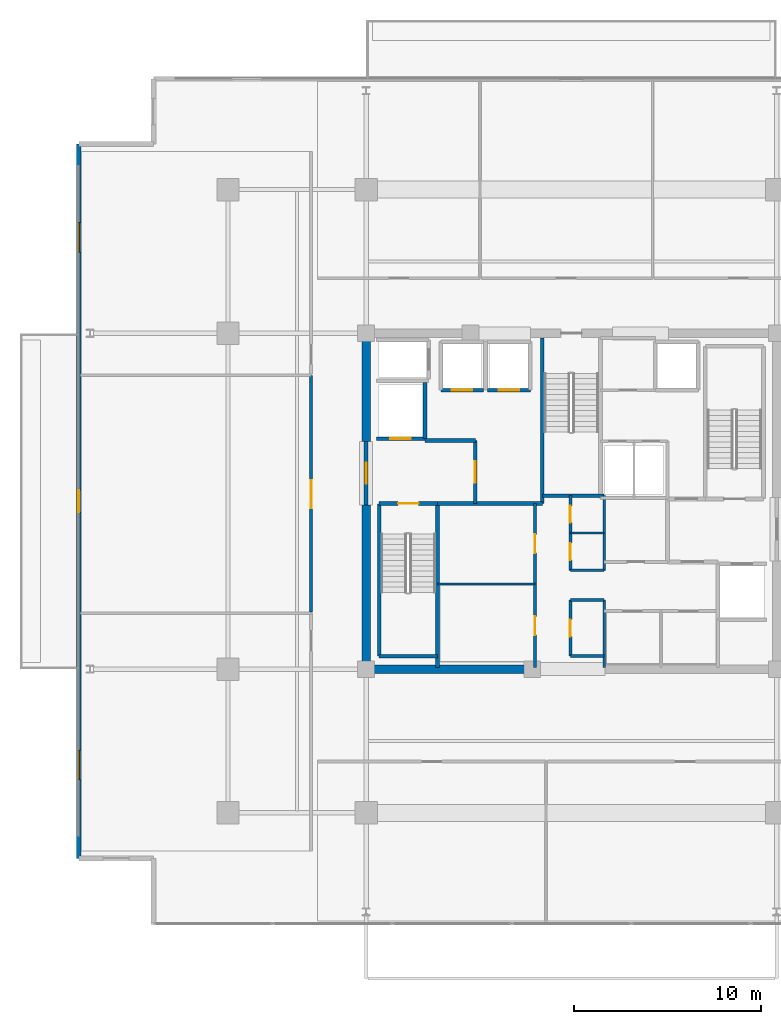
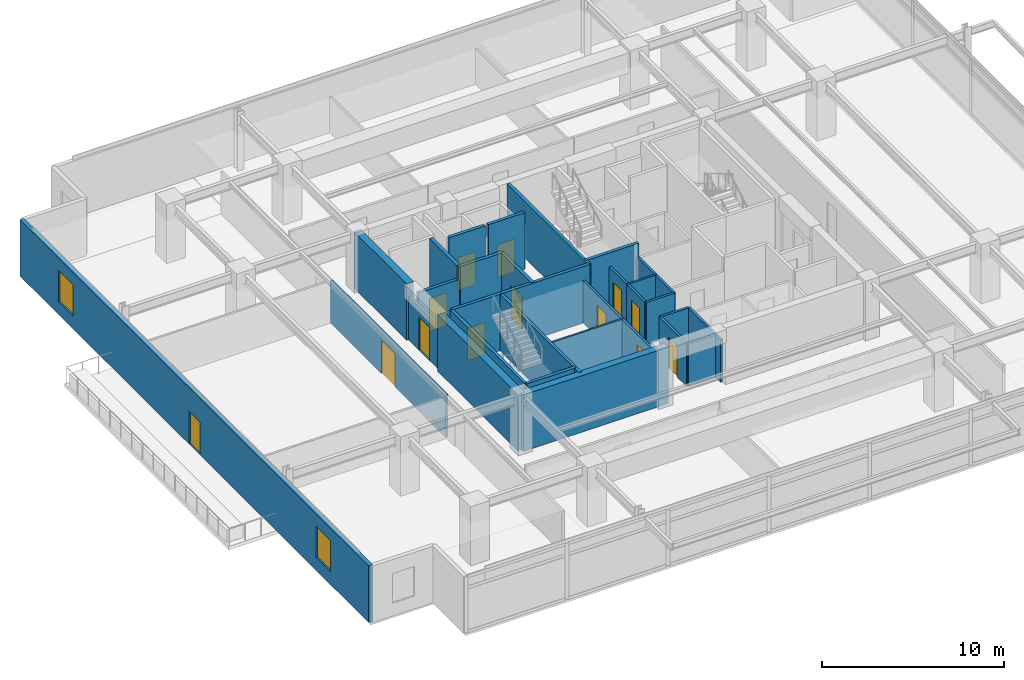
# One storey, part 12 of 19: 31 walls, 13 doors, 2 windows, 15 openings.
"""IFC4 building model written with IfcOpenShell, lengths in metres."""

from ifc_helpers import new_model, si_unit, direction, frame, frame_2d, origin, place, context, subcontext, project, spatial, rectangle, extrude, material, layer, layer_set, type_object, element, fill, save


model = new_model("IFC4")

# Units and contexts
model_context = context("Model", 3, precision=1e-05, world=origin(), true_north=direction((0.0, 1.0)))
body_context = subcontext(model_context, "Body", "Model", "MODEL_VIEW")
ifc_project = project(units=[si_unit("LENGTHUNIT", "METRE"), si_unit("AREAUNIT", "SQUARE_METRE"), si_unit("VOLUMEUNIT", "CUBIC_METRE"), si_unit("PLANEANGLEUNIT", "RADIAN"), si_unit("MASSUNIT", "GRAM", prefix="KILO")], contexts=[model_context])

# Site, building, storey
site_placement = place(None, origin())
site = spatial("IfcSite", under=ifc_project, at=site_placement, CompositionType="ELEMENT")
building_placement = place(site_placement, origin())
building = spatial("IfcBuilding", under=site, at=building_placement, Name="Kovane Verandah Tower", CompositionType="ELEMENT")
storey_placement = place(building_placement, frame((0.0, 0.0, 255.199951171875)))
storey = spatial("IfcBuildingStorey", under=building, at=storey_placement, Name="L59", CompositionType="ELEMENT", Elevation=255.199951171875)

# Walls
ifc_material_1 = material(Name="Fire-Rated Gypsum Stud Partition", Category="gypsum")
ifc_layer_1 = layer(ifc_material_1, 0.14990234375)
ifc_layer_set_1 = layer_set([ifc_layer_1], Name="Fire-Rated Gypsum Stud Partition")
wall_type_1 = type_object("IfcWallType", Name="WL-COR-150", PredefinedType="PARTITIONING", material=ifc_layer_set_1)
for number, where, z_axis, x_axis, name in (
    (1, (39.949951171875, 19.199951171875, 0.0), (0.0, 0.0, 1.0), (1.0, 0.0, 0.0), "L59 Central Core Strip South Wall"),
    (2, (39.949951171875, 22.199951171875, 0.0), (0.0, 0.0, 1.0), (1.0, 0.0, 0.0), "L59 Core Cross-Passage South Wall"),
    (3, (39.949951171875, 23.800048828125, 0.0), (0.0, 0.0, 1.0), (1.0, 0.0, 0.0), "L59 Core Cross-Passage North Wall"),
):
    element("IfcWall", number, at=place(storey_placement, frame(where, z_axis=z_axis, x_axis=x_axis)), inside=storey, type_object=wall_type_1, Name=name, PredefinedType="PARTITIONING", context=body_context, shape_type="SweptSolid", body=[
        extrude(rectangle(XDim=1.81005859375, YDim=0.14990234375, at=frame_2d((0.905029296875, 0.0))), origin(), (0.0, 0.0, 1.0), 2.85009765625),
    ])
wall_1_placement = place(storey_placement, frame((41.760009765625, 18.60009765625, 0.0), z_axis=(0.0, 0.0, 1.0), x_axis=(0.0, 1.0, 0.0)))
element("IfcWall", 4, at=wall_1_placement, inside=storey, type_object=wall_type_1, Name="L59 Central Core Strip Lower East Wall", PredefinedType="PARTITIONING", context=body_context, shape_type="SweptSolid", body=[
    extrude(rectangle(XDim=3.599853515625, YDim=0.14990234375, at=frame_2d((1.7998046875, 0.0))), origin(), (0.0, 0.0, 1.0), 2.85009765625),
])
wall_2_placement = place(storey_placement, frame((41.760009765625, 23.800048828125, 0.0), z_axis=(0.0, 0.0, 1.0), x_axis=(0.0, 1.0, 0.0)))
element("IfcWall", 5, at=wall_2_placement, inside=storey, type_object=wall_type_1, Name="L59 Central Core Strip Upper East Wall", PredefinedType="PARTITIONING", context=body_context, shape_type="SweptSolid", body=[
    extrude(rectangle(XDim=4.0, YDim=0.14990234375, at=frame_2d((2.0, 0.0))), origin(), (0.0, 0.0, 1.0), 2.85009765625),
])

# Wall, opening, door
wall_3_placement = place(storey_placement, frame((39.949951171875, 19.199951171875, 0.0), z_axis=(0.0, 0.0, 1.0), x_axis=(0.0, 1.0, 0.0)))
wall_3 = element("IfcWall", 6, at=wall_3_placement, inside=storey, type_object=wall_type_1, Name="L59 Male Toilet Partition", PredefinedType="PARTITIONING", context=body_context, shape_type="SweptSolid", body=[
    extrude(rectangle(XDim=3.0, YDim=0.14990234375, at=frame_2d((1.5, 0.0))), origin(), (0.0, 0.0, 1.0), 2.85009765625),
])
opening_1_placement = place(wall_3_placement, frame((1.050048828125, 0.0, 0.0)))
opening_1 = element("IfcOpeningElement", 7, at=opening_1_placement, cuts=wall_3, Name="Opening DR-L59-027", PredefinedType="OPENING", context=body_context, shape_type="SweptSolid", body=[
    extrude(rectangle(XDim=0.89990234375, YDim=2.10009765625, at=frame_2d((0.449951171875, 1.050048828125))), frame((0.0, 0.074951171875, 0.0), z_axis=(0.0, -1.0, 0.0), x_axis=(1.0, 0.0, 0.0)), (0.0, 0.0, 1.0), 0.14990234375),
])
ifc_material_2 = material(Name="Moisture-Resistant Laminate Washroom Door", Category="wood")
door_type_1 = type_object("IfcDoorType", Name="DR-WC-900", OperationType="SINGLE_SWING_LEFT", PredefinedType="DOOR", material=ifc_material_2)
door_1_placement = place(opening_1_placement, origin())
door_1 = element("IfcDoor", 8, at=door_1_placement, inside=storey, type_object=door_type_1, Name="L59 Male Toilet Door", OperationType="SINGLE_SWING_LEFT", OverallHeight=2.10009765625, OverallWidth=0.89990234375, PredefinedType="DOOR", context=body_context, shape_type="SweptSolid", body=[
    extrude(rectangle(XDim=0.89990234375, YDim=2.10009765625, at=frame_2d((0.449951171875, 1.050048828125))), frame((0.0, 0.02490234375, 0.0), z_axis=(0.0, -1.0, 0.0), x_axis=(1.0, 0.0, 0.0)), (0.0, 0.0, 1.0), 0.050048828125),
])
fill(opening_1, door_1)

wall_4_placement = place(storey_placement, frame((39.949951171875, 23.800048828125, 0.0), z_axis=(0.0, 0.0, 1.0), x_axis=(0.0, 1.0, 0.0)))
wall_4 = element("IfcWall", 9, at=wall_4_placement, inside=storey, type_object=wall_type_1, Name="L59 Female Toilet Partition", PredefinedType="PARTITIONING", context=body_context, shape_type="SweptSolid", body=[
    extrude(rectangle(XDim=2.0, YDim=0.14990234375, at=frame_2d((1.0, 0.0))), origin(), (0.0, 0.0, 1.0), 2.85009765625),
])
opening_2_placement = place(wall_4_placement, frame((0.550048828125, 0.0, 0.0)))
opening_2 = element("IfcOpeningElement", 10, at=opening_2_placement, cuts=wall_4, Name="Opening DR-L59-026", PredefinedType="OPENING", context=body_context, shape_type="SweptSolid", body=[
    extrude(rectangle(XDim=0.89990234375, YDim=2.10009765625, at=frame_2d((0.449951171875, 1.050048828125))), frame((0.0, 0.074951171875, 0.0), z_axis=(0.0, -1.0, 0.0), x_axis=(1.0, 0.0, 0.0)), (0.0, 0.0, 1.0), 0.14990234375),
])
door_2_placement = place(opening_2_placement, origin())
door_2 = element("IfcDoor", 11, at=door_2_placement, inside=storey, type_object=door_type_1, Name="L59 Female Toilet Door", OperationType="SINGLE_SWING_RIGHT", OverallHeight=2.10009765625, OverallWidth=0.89990234375, PredefinedType="DOOR", context=body_context, shape_type="SweptSolid", body=[
    extrude(rectangle(XDim=0.89990234375, YDim=2.10009765625, at=frame_2d((0.449951171875, 1.050048828125))), frame((0.0, 0.02490234375, 0.0), z_axis=(0.0, -1.0, 0.0), x_axis=(1.0, 0.0, 0.0)), (0.0, 0.0, 1.0), 0.050048828125),
])
fill(opening_2, door_2)

wall_5_placement = place(storey_placement, frame((39.949951171875, 25.800048828125, 0.0), z_axis=(0.0, 0.0, 1.0), x_axis=(0.0, 1.0, 0.0)))
wall_5 = element("IfcWall", 12, at=wall_5_placement, inside=storey, type_object=wall_type_1, Name="L59 Accessible Unisex Toilet Partition", PredefinedType="PARTITIONING", context=body_context, shape_type="SweptSolid", body=[
    extrude(rectangle(XDim=2.0, YDim=0.14990234375, at=frame_2d((1.0, 0.0))), origin(), (0.0, 0.0, 1.0), 2.85009765625),
])
opening_3_placement = place(wall_5_placement, frame((0.550048828125, 0.0, 0.0)))
opening_3 = element("IfcOpeningElement", 13, at=opening_3_placement, cuts=wall_5, Name="Opening DR-L59-025", PredefinedType="OPENING", context=body_context, shape_type="SweptSolid", body=[
    extrude(rectangle(XDim=0.89990234375, YDim=2.10009765625, at=frame_2d((0.449951171875, 1.050048828125))), frame((0.0, 0.074951171875, 0.0), z_axis=(0.0, -1.0, 0.0), x_axis=(1.0, 0.0, 0.0)), (0.0, 0.0, 1.0), 0.14990234375),
])
door_3_placement = place(opening_3_placement, origin())
door_3 = element("IfcDoor", 14, at=door_3_placement, inside=storey, type_object=door_type_1, Name="L59 Accessible Unisex Toilet Door", OperationType="SINGLE_SWING_LEFT", OverallHeight=2.10009765625, OverallWidth=0.89990234375, PredefinedType="DOOR", context=body_context, shape_type="SweptSolid", body=[
    extrude(rectangle(XDim=0.89990234375, YDim=2.10009765625, at=frame_2d((0.449951171875, 1.050048828125))), frame((0.0, 0.02490234375, 0.0), z_axis=(0.0, -1.0, 0.0), x_axis=(1.0, 0.0, 0.0)), (0.0, 0.0, 1.0), 0.050048828125),
])
fill(opening_3, door_3)

wall_6_placement = place(storey_placement, frame((38.050048828125, 18.60009765625, 0.0), z_axis=(0.0, 0.0, 1.0), x_axis=(0.0, 1.0, 0.0)))
wall_6 = element("IfcWall", 15, at=wall_6_placement, inside=storey, type_object=wall_type_1, Name="L59 IT Server Room Partition", PredefinedType="PARTITIONING", context=body_context, shape_type="SweptSolid", body=[
    extrude(rectangle(XDim=4.4599609375, YDim=0.14990234375, at=frame_2d((2.22998046875, 0.0))), origin(), (0.0, 0.0, 1.0), 2.85009765625),
])
opening_4_placement = place(wall_6_placement, frame((1.72998046875, 0.0, 0.0)))
opening_4 = element("IfcOpeningElement", 16, at=opening_4_placement, cuts=wall_6, Name="Opening DR-L59-012", PredefinedType="OPENING", context=body_context, shape_type="SweptSolid", body=[
    extrude(rectangle(XDim=1.0, YDim=2.14990234375, at=frame_2d((0.5, 1.074951171875))), frame((0.0, 0.074951171875, 0.0), z_axis=(0.0, -1.0, 0.0), x_axis=(1.0, 0.0, 0.0)), (0.0, 0.0, 1.0), 0.14990234375),
])
ifc_material_3 = material(Name="FSC Spotted-Gum Timber Fire-Rated Office Door", Category="wood")
door_type_2 = type_object("IfcDoorType", Name="DR-OFF-1000", OperationType="SINGLE_SWING_LEFT", PredefinedType="DOOR", material=ifc_material_3)
door_4_placement = place(opening_4_placement, origin())
door_4 = element("IfcDoor", 17, at=door_4_placement, inside=storey, type_object=door_type_2, Name="L59 IT Server Room Door", OperationType="SINGLE_SWING_RIGHT", OverallHeight=2.14990234375, OverallWidth=1.0, PredefinedType="DOOR", context=body_context, shape_type="SweptSolid", body=[
    extrude(rectangle(XDim=1.0, YDim=2.14990234375, at=frame_2d((0.5, 1.074951171875))), frame((0.0, 0.02490234375, 0.0), z_axis=(0.0, -1.0, 0.0), x_axis=(1.0, 0.0, 0.0)), (0.0, 0.0, 1.0), 0.050048828125),
])
fill(opening_4, door_4)

wall_7_placement = place(storey_placement, frame((38.050048828125, 23.06005859375, 0.0), z_axis=(0.0, 0.0, 1.0), x_axis=(0.0, 1.0, 0.0)))
wall_7 = element("IfcWall", 18, at=wall_7_placement, inside=storey, type_object=wall_type_1, Name="L59 Telecom MDF Room Partition", PredefinedType="PARTITIONING", context=body_context, shape_type="SweptSolid", body=[
    extrude(rectangle(XDim=4.31982421875, YDim=0.14990234375, at=frame_2d((2.159912109375, 0.0))), origin(), (0.0, 0.0, 1.0), 2.85009765625),
])
opening_5_placement = place(wall_7_placement, frame((1.659912109375, 0.0, 0.0)))
opening_5 = element("IfcOpeningElement", 19, at=opening_5_placement, cuts=wall_7, Name="Opening DR-L59-013", PredefinedType="OPENING", context=body_context, shape_type="SweptSolid", body=[
    extrude(rectangle(XDim=1.0, YDim=2.14990234375, at=frame_2d((0.5, 1.074951171875))), frame((0.0, 0.074951171875, 0.0), z_axis=(0.0, -1.0, 0.0), x_axis=(1.0, 0.0, 0.0)), (0.0, 0.0, 1.0), 0.14990234375),
])
door_5_placement = place(opening_5_placement, origin())
door_5 = element("IfcDoor", 20, at=door_5_placement, inside=storey, type_object=door_type_2, Name="L59 Telecom MDF Room Door", OperationType="SINGLE_SWING_LEFT", OverallHeight=2.14990234375, OverallWidth=1.0, PredefinedType="DOOR", context=body_context, shape_type="SweptSolid", body=[
    extrude(rectangle(XDim=1.0, YDim=2.14990234375, at=frame_2d((0.5, 1.074951171875))), frame((0.0, 0.02490234375, 0.0), z_axis=(0.0, -1.0, 0.0), x_axis=(1.0, 0.0, 0.0)), (0.0, 0.0, 1.0), 0.050048828125),
])
fill(opening_5, door_5)

wall_8_placement = place(storey_placement, frame((26.050048828125, 21.573974609375, 0.0), z_axis=(0.0, 0.0, 1.0), x_axis=(0.0, 1.0, 0.0)))
wall_8 = element("IfcWall", 21, at=wall_8_placement, inside=storey, type_object=wall_type_1, Name="L59 Client Boardroom W2 Corridor Partition", PredefinedType="PARTITIONING", context=body_context, shape_type="SweptSolid", body=[
    extrude(rectangle(XDim=12.671630859375, YDim=0.14990234375, at=frame_2d((6.3359375, 0.0))), origin(), (0.0, 0.0, 1.0), 2.85009765625),
])
opening_6_placement = place(wall_8_placement, frame((5.55078125, 0.0, 0.0)))
opening_6 = element("IfcOpeningElement", 22, at=opening_6_placement, cuts=wall_8, Name="Opening DR-L59-029", PredefinedType="OPENING", context=body_context, shape_type="SweptSolid", body=[
    extrude(rectangle(XDim=1.5, YDim=2.25, at=frame_2d((0.75, 1.125))), frame((0.0, 0.074951171875, 0.0), z_axis=(0.0, -1.0, 0.0), x_axis=(1.0, 0.0, 0.0)), (0.0, 0.0, 1.0), 0.14990234375),
])
ifc_material_4 = material(Name="Glazed Timber Fire-Rated Double Door", Category="wood")
door_type_3 = type_object("IfcDoorType", Name="DR-CONF-1500", OperationType="DOUBLE_DOOR_SINGLE_SWING", PredefinedType="DOOR", material=ifc_material_4)
door_6_placement = place(opening_6_placement, origin())
door_6 = element("IfcDoor", 23, at=door_6_placement, inside=storey, type_object=door_type_3, Name="L59 Client Boardroom W2 Entrance Door", OperationType="DOUBLE_DOOR_SINGLE_SWING", OverallHeight=2.25, OverallWidth=1.5, PredefinedType="DOOR", context=body_context, shape_type="SweptSolid", body=[
    extrude(rectangle(XDim=1.5, YDim=2.25, at=frame_2d((0.75, 1.125))), frame((0.0, 0.02490234375, 0.0), z_axis=(0.0, -1.0, 0.0), x_axis=(1.0, 0.0, 0.0)), (0.0, 0.0, 1.0), 0.050048828125),
])
fill(opening_6, door_6)

# Walls
ifc_material_5 = material(Name="Concrete C60/75", Category="concrete")
ifc_layer_2 = layer(ifc_material_5, 0.449951171875)
ifc_layer_set_2 = layer_set([ifc_layer_2], Name="Concrete C60/75")
wall_type_2 = type_object("IfcWallType", Name="WL-CORE-450", PredefinedType="SHEAR", material=ifc_layer_set_2)
wall_9_placement = place(storey_placement, frame((29.0, 18.5, 0.0), z_axis=(0.0, 0.0, 1.0), x_axis=(1.0, 0.0, 0.0)))
element("IfcWall", 24, at=wall_9_placement, inside=storey, type_object=wall_type_2, Name="L59 Core Shear Wall CS-1", PredefinedType="SHEAR", context=body_context, shape_type="SweptSolid", body=[
    extrude(rectangle(XDim=9.199951171875, YDim=0.449951171875, at=frame_2d((4.60009765625, 0.0))), origin(), (0.0, 0.0, 1.0), 3.78515625),
])
wall_10_placement = place(storey_placement, frame((29.0, 18.5, 0.0), z_axis=(0.0, 0.0, 1.0), x_axis=(0.0, 1.0, 0.0)))
element("IfcWall", 25, at=wall_10_placement, inside=storey, type_object=wall_type_2, Name="L59 Core Shear Wall CW-1", PredefinedType="SHEAR", context=body_context, shape_type="SweptSolid", body=[
    extrude(rectangle(XDim=8.800048828125, YDim=0.449951171875, at=frame_2d((4.39990234375, 0.0))), origin(), (0.0, 0.0, 1.0), 3.78515625),
])
wall_11_placement = place(storey_placement, frame((29.0, 30.699951171875, 0.0), z_axis=(0.0, 0.0, 1.0), x_axis=(0.0, 1.0, 0.0)))
element("IfcWall", 26, at=wall_11_placement, inside=storey, type_object=wall_type_2, Name="L59 Core Shear Wall CW-2", PredefinedType="SHEAR", context=body_context, shape_type="SweptSolid", body=[
    extrude(rectangle(XDim=5.800048828125, YDim=0.449951171875, at=frame_2d((2.89990234375, 0.0))), origin(), (0.0, 0.0, 1.0), 3.78515625),
])

# Wall, opening, door
ifc_material_6 = material(Name="Concrete C45/55 Fire Wall", Category="concrete")
ifc_layer_3 = layer(ifc_material_6, 0.199951171875)
ifc_layer_set_3 = layer_set([ifc_layer_3], Name="Concrete C45/55 Fire Wall")
wall_type_3 = type_object("IfcWallType", Name="WL-FFL-200", PredefinedType="PARTITIONING", material=ifc_layer_set_3)
wall_12_placement = place(storey_placement, frame((34.85009765625, 27.3798828125, 0.0), z_axis=(0.0, 0.0, 1.0), x_axis=(0.0, 1.0, 0.0)))
wall_12 = element("IfcWall", 27, at=wall_12_placement, inside=storey, type_object=wall_type_3, Name="W-L59-FFLW-E", PredefinedType="PARTITIONING", context=body_context, shape_type="SweptSolid", body=[
    extrude(rectangle(XDim=3.3701171875, YDim=0.199951171875, at=frame_2d((1.68505859375, 0.0))), origin(), (0.0, 0.0, 1.0), 3.78515625),
])
opening_7_placement = place(wall_12_placement, frame((1.110107421875, 0.0, 0.0)))
opening_7 = element("IfcOpeningElement", 28, at=opening_7_placement, cuts=wall_12, Name="Opening DR-L59-006", PredefinedType="OPENING", context=body_context, shape_type="SweptSolid", body=[
    extrude(rectangle(XDim=1.14990234375, YDim=2.199951171875, at=frame_2d((0.574951171875, 1.10009765625))), frame((0.0, 0.10009765625, 0.0), z_axis=(0.0, -1.0, 0.0), x_axis=(1.0, 0.0, 0.0)), (0.0, 0.0, 1.0), 0.199951171875),
])
ifc_material_7 = material(Name="Smoke-Sealed Firefighting Lobby Door", Category="steel")
door_type_4 = type_object("IfcDoorType", Name="DR-FFL-1150", OperationType="SINGLE_SWING_LEFT", PredefinedType="DOOR", material=ifc_material_7)
door_7_placement = place(opening_7_placement, origin())
door_7 = element("IfcDoor", 29, at=door_7_placement, inside=storey, type_object=door_type_4, Name="L59 West Firefighting Lobby Inner Door", OperationType="SINGLE_SWING_LEFT", OverallHeight=2.199951171875, OverallWidth=1.14990234375, PredefinedType="DOOR", context=body_context, shape_type="SweptSolid", body=[
    extrude(rectangle(XDim=1.14990234375, YDim=2.199951171875, at=frame_2d((0.574951171875, 1.10009765625))), frame((0.0, 0.02490234375, 0.0), z_axis=(0.0, -1.0, 0.0), x_axis=(1.0, 0.0, 0.0)), (0.0, 0.0, 1.0), 0.050048828125),
])
fill(opening_7, door_7)

wall_13_placement = place(storey_placement, frame((29.0, 27.300048828125, 0.0), z_axis=(0.0, 0.0, 1.0), x_axis=(0.0, 1.0, 0.0)))
wall_13 = element("IfcWall", 30, at=wall_13_placement, inside=storey, type_object=wall_type_3, Name="W-L59-FFLW-OUT", PredefinedType="PARTITIONING", context=body_context, shape_type="SweptSolid", body=[
    extrude(rectangle(XDim=3.39990234375, YDim=0.199951171875, at=frame_2d((1.699951171875, 0.0))), origin(), (0.0, 0.0, 1.0), 2.864990234375),
])
opening_8_placement = place(wall_13_placement, frame((1.125, 0.0, 0.0)))
opening_8 = element("IfcOpeningElement", 31, at=opening_8_placement, cuts=wall_13, Name="Opening DR-L59-007", PredefinedType="OPENING", context=body_context, shape_type="SweptSolid", body=[
    extrude(rectangle(XDim=1.14990234375, YDim=2.199951171875, at=frame_2d((0.574951171875, 1.10009765625))), frame((0.0, 0.10009765625, 0.0), z_axis=(0.0, -1.0, 0.0), x_axis=(1.0, 0.0, 0.0)), (0.0, 0.0, 1.0), 0.199951171875),
])
door_8_placement = place(opening_8_placement, origin())
door_8 = element("IfcDoor", 32, at=door_8_placement, inside=storey, type_object=door_type_4, Name="L59 West Firefighting Lobby Corridor Door", OperationType="SINGLE_SWING_RIGHT", OverallHeight=2.199951171875, OverallWidth=1.14990234375, PredefinedType="DOOR", context=body_context, shape_type="SweptSolid", body=[
    extrude(rectangle(XDim=1.14990234375, YDim=2.199951171875, at=frame_2d((0.574951171875, 1.10009765625))), frame((0.0, 0.02490234375, 0.0), z_axis=(0.0, -1.0, 0.0), x_axis=(1.0, 0.0, 0.0)), (0.0, 0.0, 1.0), 0.050048828125),
])
fill(opening_8, door_8)

# Walls
wall_14_placement = place(storey_placement, frame((32.820068359375, 27.3798828125, 0.0), z_axis=(0.0, 0.0, 1.0), x_axis=(1.0, 0.0, 0.0)))
element("IfcWall", 33, at=wall_14_placement, inside=storey, type_object=wall_type_3, Name="L59 West Firefighting Lobby South Fire Wall", PredefinedType="PARTITIONING", context=body_context, shape_type="SweptSolid", body=[
    extrude(rectangle(XDim=5.619873046875, YDim=0.199951171875, at=frame_2d((2.81005859375, 0.0))), origin(), (0.0, 0.0, 1.0), 3.78515625),
])
wall_15_placement = place(storey_placement, frame((32.14990234375, 30.75, 0.0), z_axis=(0.0, 0.0, 1.0), x_axis=(1.0, 0.0, 0.0)))
element("IfcWall", 34, at=wall_15_placement, inside=storey, type_object=wall_type_3, Name="L59 West Firefighting Lobby North Fire Wall", PredefinedType="PARTITIONING", context=body_context, shape_type="SweptSolid", body=[
    extrude(rectangle(XDim=2.7001953125, YDim=0.199951171875, at=frame_2d((1.35009765625, 0.0))), origin(), (0.0, 0.0, 1.0), 3.78515625),
])

# Wall, opening, door
ifc_material_8 = material(Name="Concrete C45/55 Lift Shaft Wall", Category="concrete")
ifc_layer_4 = layer(ifc_material_8, 0.199951171875)
ifc_layer_set_4 = layer_set([ifc_layer_4], Name="Concrete C45/55 Lift Shaft Wall")
wall_type_4 = type_object("IfcWallType", Name="WL-LIFT-200", PredefinedType="SOLIDWALL", material=ifc_layer_set_4)
wall_16_placement = place(storey_placement, frame((29.550048828125, 30.85009765625, 0.0), z_axis=(0.0, 0.0, 1.0), x_axis=(1.0, 0.0, 0.0)))
wall_16 = element("IfcWall", 35, at=wall_16_placement, inside=storey, type_object=wall_type_4, Name="L59 Lift FL-01 S Shaft Wall", PredefinedType="SOLIDWALL", context=body_context, shape_type="SweptSolid", body=[
    extrude(rectangle(XDim=2.599853515625, YDim=0.199951171875, at=frame_2d((1.2998046875, 0.0))), origin(), (0.0, 0.0, 1.0), 2.864990234375),
])
opening_9_placement = place(wall_16_placement, frame((0.75, 0.0, 0.0)))
opening_9 = element("IfcOpeningElement", 36, at=opening_9_placement, cuts=wall_16, Name="Opening LD-L59-001", PredefinedType="OPENING", context=body_context, shape_type="SweptSolid", body=[
    extrude(rectangle(XDim=1.10009765625, YDim=2.199951171875, at=frame_2d((0.550048828125, 1.10009765625))), frame((0.0, 0.10009765625, 0.0), z_axis=(0.0, -1.0, 0.0), x_axis=(1.0, 0.0, 0.0)), (0.0, 0.0, 1.0), 0.199951171875),
])
ifc_material_9 = material(Name="Brushed Stainless Steel Sliding Lift Landing Door", Category="steel")
door_type_5 = type_object("IfcDoorType", Name="DR-LIFT-1100", OperationType="SLIDING_TO_RIGHT", PredefinedType="DOOR", material=ifc_material_9)
door_9_placement = place(opening_9_placement, origin())
door_9 = element("IfcDoor", 37, at=door_9_placement, inside=storey, type_object=door_type_5, Name="L59 Lift FL-01 Sliding Landing Door", OperationType="SLIDING_TO_RIGHT", OverallHeight=2.199951171875, OverallWidth=1.10009765625, PredefinedType="DOOR", context=body_context, shape_type="SweptSolid", body=[
    extrude(rectangle(XDim=1.10009765625, YDim=2.199951171875, at=frame_2d((0.550048828125, 1.10009765625))), frame((0.0, 0.02490234375, 0.0), z_axis=(0.0, -1.0, 0.0), x_axis=(1.0, 0.0, 0.0)), (0.0, 0.0, 1.0), 0.050048828125),
])
fill(opening_9, door_9)

# Wall
wall_17_placement = place(storey_placement, frame((32.14990234375, 30.85009765625, 0.0), z_axis=(0.0, 0.0, 1.0), x_axis=(0.0, 1.0, 0.0)))
element("IfcWall", 38, at=wall_17_placement, inside=storey, type_object=wall_type_4, Name="L59 Lift FL-01 E Shaft Wall", PredefinedType="SOLIDWALL", context=body_context, shape_type="SweptSolid", body=[
    extrude(rectangle(XDim=3.0, YDim=0.199951171875, at=frame_2d((1.5, 0.0))), origin(), (0.0, 0.0, 1.0), 3.78515625),
])

# Wall, opening, door
wall_18_placement = place(storey_placement, frame((33.0, 33.449951171875, 0.0), z_axis=(0.0, 0.0, 1.0), x_axis=(1.0, 0.0, 0.0)))
wall_18 = element("IfcWall", 39, at=wall_18_placement, inside=storey, type_object=wall_type_4, Name="L59 Lift PL-H1 S Shaft Wall", PredefinedType="SOLIDWALL", context=body_context, shape_type="SweptSolid", body=[
    extrude(rectangle(XDim=2.300048828125, YDim=0.199951171875, at=frame_2d((1.14990234375, 0.0))), origin(), (0.0, 0.0, 1.0), 3.78515625),
])
opening_10_placement = place(wall_18_placement, frame((0.60009765625, 0.0, 0.0)))
opening_10 = element("IfcOpeningElement", 40, at=opening_10_placement, cuts=wall_18, Name="Opening LD-L59-004", PredefinedType="OPENING", context=body_context, shape_type="SweptSolid", body=[
    extrude(rectangle(XDim=1.10009765625, YDim=2.199951171875, at=frame_2d((0.550048828125, 1.10009765625))), frame((0.0, 0.10009765625, 0.0), z_axis=(0.0, -1.0, 0.0), x_axis=(1.0, 0.0, 0.0)), (0.0, 0.0, 1.0), 0.199951171875),
])
door_10_placement = place(opening_10_placement, origin())
door_10 = element("IfcDoor", 41, at=door_10_placement, inside=storey, type_object=door_type_5, Name="L59 Lift PL-H1 Sliding Landing Door", OperationType="SLIDING_TO_RIGHT", OverallHeight=2.199951171875, OverallWidth=1.10009765625, PredefinedType="DOOR", context=body_context, shape_type="SweptSolid", body=[
    extrude(rectangle(XDim=1.10009765625, YDim=2.199951171875, at=frame_2d((0.550048828125, 1.10009765625))), frame((0.0, 0.02490234375, 0.0), z_axis=(0.0, -1.0, 0.0), x_axis=(1.0, 0.0, 0.0)), (0.0, 0.0, 1.0), 0.050048828125),
])
fill(opening_10, door_10)

wall_19_placement = place(storey_placement, frame((35.5, 33.449951171875, 0.0), z_axis=(0.0, 0.0, 1.0), x_axis=(1.0, 0.0, 0.0)))
wall_19 = element("IfcWall", 42, at=wall_19_placement, inside=storey, type_object=wall_type_4, Name="L59 Lift PL-H2 S Shaft Wall", PredefinedType="SOLIDWALL", context=body_context, shape_type="SweptSolid", body=[
    extrude(rectangle(XDim=2.300048828125, YDim=0.199951171875, at=frame_2d((1.14990234375, 0.0))), origin(), (0.0, 0.0, 1.0), 3.78515625),
])
opening_11_placement = place(wall_19_placement, frame((0.60009765625, 0.0, 0.0)))
opening_11 = element("IfcOpeningElement", 43, at=opening_11_placement, cuts=wall_19, Name="Opening LD-L59-005", PredefinedType="OPENING", context=body_context, shape_type="SweptSolid", body=[
    extrude(rectangle(XDim=1.10009765625, YDim=2.199951171875, at=frame_2d((0.550048828125, 1.10009765625))), frame((0.0, 0.10009765625, 0.0), z_axis=(0.0, -1.0, 0.0), x_axis=(1.0, 0.0, 0.0)), (0.0, 0.0, 1.0), 0.199951171875),
])
door_11_placement = place(opening_11_placement, origin())
door_11 = element("IfcDoor", 44, at=door_11_placement, inside=storey, type_object=door_type_5, Name="L59 Lift PL-H2 Sliding Landing Door", OperationType="SLIDING_TO_RIGHT", OverallHeight=2.199951171875, OverallWidth=1.10009765625, PredefinedType="DOOR", context=body_context, shape_type="SweptSolid", body=[
    extrude(rectangle(XDim=1.10009765625, YDim=2.199951171875, at=frame_2d((0.550048828125, 1.10009765625))), frame((0.0, 0.02490234375, 0.0), z_axis=(0.0, -1.0, 0.0), x_axis=(1.0, 0.0, 0.0)), (0.0, 0.0, 1.0), 0.050048828125),
])
fill(opening_11, door_11)

# Walls
ifc_material_10 = material(Name="Acoustic Fire-Rated Gypsum Partition", Category="gypsum")
ifc_layer_5 = layer(ifc_material_10, 0.1201171875)
ifc_layer_set_5 = layer_set([ifc_layer_5], Name="Acoustic Fire-Rated Gypsum Partition")
wall_type_5 = type_object("IfcWallType", Name="WL-PART-120", PredefinedType="PARTITIONING", material=ifc_layer_set_5)
wall_20_placement = place(storey_placement, frame((39.949951171875, 25.800048828125, 0.0), z_axis=(0.0, 0.0, 1.0), x_axis=(1.0, 0.0, 0.0)))
element("IfcWall", 45, at=wall_20_placement, inside=storey, type_object=wall_type_5, Name="L59 Central Core Strip Upper Dividing Partition", PredefinedType="PARTITIONING", context=body_context, shape_type="SweptSolid", body=[
    extrude(rectangle(XDim=1.81005859375, YDim=0.1201171875, at=frame_2d((0.905029296875, 0.0))), origin(), (0.0, 0.0, 1.0), 2.85009765625),
])
wall_21_placement = place(storey_placement, frame((32.820068359375, 23.06005859375, 0.0), z_axis=(0.0, 0.0, 1.0), x_axis=(1.0, 0.0, 0.0)))
element("IfcWall", 46, at=wall_21_placement, inside=storey, type_object=wall_type_5, Name="L59 Core Support Dividing Partition", PredefinedType="PARTITIONING", context=body_context, shape_type="SweptSolid", body=[
    extrude(rectangle(XDim=5.22998046875, YDim=0.1201171875, at=frame_2d((2.614990234375, 0.0))), origin(), (0.0, 0.0, 1.0), 2.85009765625),
])
ifc_material_11 = material(Name="Concrete C45/55", Category="concrete")
ifc_layer_6 = layer(ifc_material_11, 0.199951171875)
ifc_layer_set_6 = layer_set([ifc_layer_6], Name="Concrete C45/55")
wall_type_6 = type_object("IfcWallType", Name="WL-SHAFT-200", PredefinedType="SOLIDWALL", material=ifc_layer_set_6)
wall_22_placement = place(storey_placement, frame((29.699951171875, 19.199951171875, 0.0), z_axis=(0.0, 0.0, 1.0), x_axis=(0.0, 1.0, 0.0)))
element("IfcWall", 47, at=wall_22_placement, inside=storey, type_object=wall_type_6, Name="W-L59-ST01-W", PredefinedType="SOLIDWALL", context=body_context, shape_type="SweptSolid", body=[
    extrude(rectangle(XDim=8.150146484375, YDim=0.199951171875, at=frame_2d((4.0751953125, 0.0))), origin(), (0.0, 0.0, 1.0), 3.78515625),
])
wall_23_placement = place(storey_placement, frame((29.699951171875, 19.199951171875, 0.0), z_axis=(0.0, 0.0, 1.0), x_axis=(1.0, 0.0, 0.0)))
element("IfcWall", 48, at=wall_23_placement, inside=storey, type_object=wall_type_6, Name="W-L59-ST01-S", PredefinedType="SOLIDWALL", context=body_context, shape_type="SweptSolid", body=[
    extrude(rectangle(XDim=3.1201171875, YDim=0.199951171875, at=frame_2d((1.56005859375, 0.0))), origin(), (0.0, 0.0, 1.0), 3.78515625),
])
wall_24_placement = place(storey_placement, frame((32.820068359375, 18.60009765625, 0.0), z_axis=(0.0, 0.0, 1.0), x_axis=(0.0, 1.0, 0.0)))
element("IfcWall", 49, at=wall_24_placement, inside=storey, type_object=wall_type_6, Name="W-L59-ST01-E", PredefinedType="SOLIDWALL", context=body_context, shape_type="SweptSolid", body=[
    extrude(rectangle(XDim=8.77978515625, YDim=0.199951171875, at=frame_2d((4.389892578125, 0.0))), origin(), (0.0, 0.0, 1.0), 3.78515625),
])

# Wall, opening, door
wall_25_placement = place(storey_placement, frame((29.699951171875, 27.3798828125, 0.0), z_axis=(0.0, 0.0, 1.0), x_axis=(1.0, 0.0, 0.0)))
wall_25 = element("IfcWall", 50, at=wall_25_placement, inside=storey, type_object=wall_type_6, Name="W-L59-ST01-N", PredefinedType="SOLIDWALL", context=body_context, shape_type="SweptSolid", body=[
    extrude(rectangle(XDim=3.1201171875, YDim=0.199951171875, at=frame_2d((1.56005859375, 0.0))), origin(), (0.0, 0.0, 1.0), 3.78515625),
])
opening_12_placement = place(wall_25_placement, frame((1.010009765625, 0.0, 0.0)))
opening_12 = element("IfcOpeningElement", 51, at=opening_12_placement, cuts=wall_25, Name="Opening DR-L59-008", PredefinedType="OPENING", context=body_context, shape_type="SweptSolid", body=[
    extrude(rectangle(XDim=1.10009765625, YDim=2.14990234375, at=frame_2d((0.550048828125, 1.074951171875))), frame((0.0, 0.10009765625, 0.0), z_axis=(0.0, -1.0, 0.0), x_axis=(1.0, 0.0, 0.0)), (0.0, 0.0, 1.0), 0.199951171875),
])
ifc_material_12 = material(Name="Fire-Rated Steel Exit Door", Category="steel")
door_type_6 = type_object("IfcDoorType", Name="DR-STAIR-1100", OperationType="SINGLE_SWING_LEFT", PredefinedType="DOOR", material=ifc_material_12)
door_12_placement = place(opening_12_placement, origin())
door_12 = element("IfcDoor", 52, at=door_12_placement, inside=storey, type_object=door_type_6, Name="L59 ST-01 Fire Exit Stair Door", OperationType="SINGLE_SWING_RIGHT", OverallHeight=2.14990234375, OverallWidth=1.10009765625, PredefinedType="DOOR", context=body_context, shape_type="SweptSolid", body=[
    extrude(rectangle(XDim=1.10009765625, YDim=2.14990234375, at=frame_2d((0.550048828125, 1.074951171875))), frame((0.0, 0.02490234375, 0.0), z_axis=(0.0, -1.0, 0.0), x_axis=(1.0, 0.0, 0.0)), (0.0, 0.0, 1.0), 0.050048828125),
])
fill(opening_12, door_12)

# Walls
wall_26_placement = place(storey_placement, frame((38.43994140625, 27.3798828125, 0.0), z_axis=(0.0, 0.0, 1.0), x_axis=(0.0, 1.0, 0.0)))
element("IfcWall", 53, at=wall_26_placement, inside=storey, type_object=wall_type_6, Name="W-L59-ST03-W", PredefinedType="SOLIDWALL", context=body_context, shape_type="SweptSolid", body=[
    extrude(rectangle(XDim=8.8701171875, YDim=0.199951171875, at=frame_2d((4.43505859375, 0.0))), origin(), (0.0, 0.0, 1.0), 3.78515625),
])
wall_27_placement = place(storey_placement, frame((38.43994140625, 27.800048828125, 0.0), z_axis=(0.0, 0.0, 1.0), x_axis=(1.0, 0.0, 0.0)))
element("IfcWall", 54, at=wall_27_placement, inside=storey, type_object=wall_type_6, Name="W-L59-ST03-S", PredefinedType="SOLIDWALL", context=body_context, shape_type="SweptSolid", body=[
    extrude(rectangle(XDim=3.320068359375, YDim=0.199951171875, at=frame_2d((1.66015625, 0.0))), origin(), (0.0, 0.0, 1.0), 3.78515625),
])

# Wall, openings, door, windows
ifc_material_13 = material(Name="Concrete C45/55 Insulated Spandrel Wall", Category="concrete")
ifc_layer_7 = layer(ifc_material_13, 0.260009765625)
ifc_layer_set_7 = layer_set([ifc_layer_7], Name="Concrete C45/55 Insulated Spandrel Wall")
wall_type_7 = type_object("IfcWallType", Name="WL-SPANDREL-260", PredefinedType="PARAPET", material=ifc_layer_set_7)
wall_28_placement = place(storey_placement, frame((13.603759765625, 46.6376953125, 0.0), z_axis=(0.0, 0.0, 1.0), x_axis=(0.0, -1.0, 0.0)))
wall_28 = element("IfcWall", 55, at=wall_28_placement, inside=storey, type_object=wall_type_7, Name="L59 W Verandah Access Facade Wall", PredefinedType="PARAPET", context=body_context, shape_type="SweptSolid", body=[
    extrude(rectangle(XDim=38.275390625, YDim=0.260009765625, at=frame_2d((19.1376953125, 0.0))), origin(), (0.0, 0.0, 1.0), 3.78515625),
])
opening_13_placement = place(wall_28_placement, frame((4.199951171875, 0.0, 0.85009765625)))
opening_13 = element("IfcOpeningElement", 56, at=opening_13_placement, cuts=wall_28, Name="Opening W-02", PredefinedType="OPENING", context=body_context, shape_type="SweptSolid", body=[
    extrude(rectangle(XDim=1.60009765625, YDim=2.10009765625, at=frame_2d((0.800048828125, 1.050048828125))), frame((0.0, 0.1298828125, 0.0), z_axis=(0.0, -1.0, 0.0), x_axis=(1.0, 0.0, 0.0)), (0.0, 0.0, 1.0), 0.260009765625),
])
opening_14_placement = place(wall_28_placement, frame((18.53759765625, 0.0, 0.0)))
opening_14 = element("IfcOpeningElement", 57, at=opening_14_placement, cuts=wall_28, Name="Opening DR-L59-002", PredefinedType="OPENING", context=body_context, shape_type="SweptSolid", body=[
    extrude(rectangle(XDim=1.199951171875, YDim=2.199951171875, at=frame_2d((0.60009765625, 1.10009765625))), frame((0.0, 0.1298828125, 0.0), z_axis=(0.0, -1.0, 0.0), x_axis=(1.0, 0.0, 0.0)), (0.0, 0.0, 1.0), 0.260009765625),
])
opening_15_placement = place(wall_28_placement, frame((32.47509765625, 0.0, 0.85009765625)))
opening_15 = element("IfcOpeningElement", 58, at=opening_15_placement, cuts=wall_28, Name="Opening W-02", PredefinedType="OPENING", context=body_context, shape_type="SweptSolid", body=[
    extrude(rectangle(XDim=1.60009765625, YDim=2.10009765625, at=frame_2d((0.800048828125, 1.050048828125))), frame((0.0, 0.1298828125, 0.0), z_axis=(0.0, -1.0, 0.0), x_axis=(1.0, 0.0, 0.0)), (0.0, 0.0, 1.0), 0.260009765625),
])
ifc_material_14 = material(Name="Cyclone-Rated Glazed Balcony Leaf Door", Category="aluminium")
door_type_7 = type_object("IfcDoorType", Name="DR-BAL-1200x2200", OperationType="SINGLE_SWING_LEFT", PredefinedType="DOOR", material=ifc_material_14)
door_13_placement = place(opening_14_placement, origin())
door_13 = element("IfcDoor", 59, at=door_13_placement, inside=storey, type_object=door_type_7, Name="L59 W Planted Balcony Access Door", OperationType="SINGLE_SWING_LEFT", OverallHeight=2.199951171875, OverallWidth=1.199951171875, PredefinedType="DOOR", context=body_context, shape_type="SweptSolid", body=[
    extrude(rectangle(XDim=1.199951171875, YDim=2.199951171875, at=frame_2d((0.60009765625, 1.10009765625))), frame((0.0, 0.02490234375, 0.0), z_axis=(0.0, -1.0, 0.0), x_axis=(1.0, 0.0, 0.0)), (0.0, 0.0, 1.0), 0.050048828125),
])
fill(opening_14, door_13)
ifc_material_15 = material(Name="Clear Low-E Laminated Double Glazing in Anodised Frame", Category="glass")
window_type = type_object("IfcWindowType", Name="WN-OPER-1600x2100", PartitioningType="SINGLE_PANEL", PredefinedType="WINDOW", material=ifc_material_15)
window_1_placement = place(opening_13_placement, origin())
window_1 = element("IfcWindow", 60, at=window_1_placement, inside=storey, type_object=window_type, Name="L59 W Verandah View Window 1", OverallHeight=2.10009765625, OverallWidth=1.60009765625, PartitioningType="SINGLE_PANEL", PredefinedType="WINDOW", context=body_context, shape_type="SweptSolid", body=[
    extrude(rectangle(XDim=1.60009765625, YDim=2.10009765625, at=frame_2d((0.800048828125, 1.050048828125))), frame((0.0, 0.030029296875, 0.0), z_axis=(0.0, -1.0, 0.0), x_axis=(1.0, 0.0, 0.0)), (0.0, 0.0, 1.0), 0.06005859375),
])
fill(opening_13, window_1)
window_2_placement = place(opening_15_placement, origin())
window_2 = element("IfcWindow", 61, at=window_2_placement, inside=storey, type_object=window_type, Name="L59 W Verandah View Window 2", OverallHeight=2.10009765625, OverallWidth=1.60009765625, PartitioningType="SINGLE_PANEL", PredefinedType="WINDOW", context=body_context, shape_type="SweptSolid", body=[
    extrude(rectangle(XDim=1.60009765625, YDim=2.10009765625, at=frame_2d((0.800048828125, 1.050048828125))), frame((0.0, 0.030029296875, 0.0), z_axis=(0.0, -1.0, 0.0), x_axis=(1.0, 0.0, 0.0)), (0.0, 0.0, 1.0), 0.06005859375),
])
fill(opening_15, window_2)

save(model, "model.ifc")
